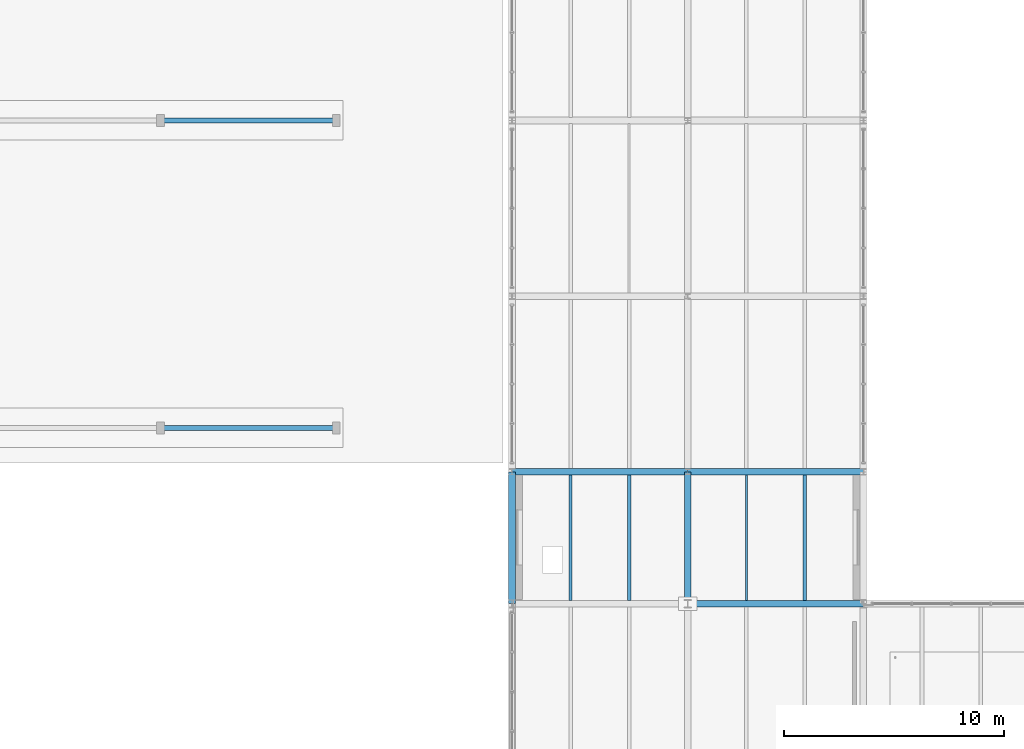
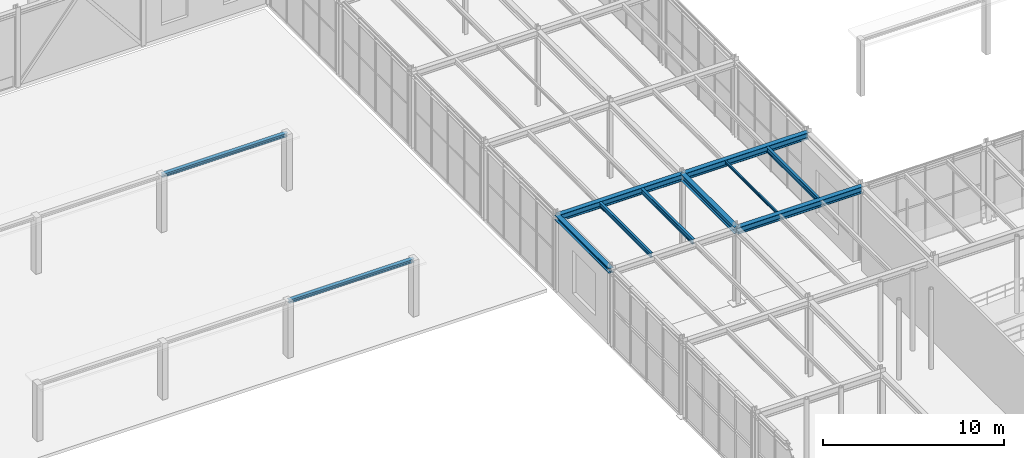
# One storey, part 32 of 129: 11 beams.
"""IFC4 building model written with IfcOpenShell, lengths in metres."""

from ifc_helpers import new_model, si_unit, direction, frame, origin, origin_2d, place, context, subcontext, project, spatial, i_section, extrude, material, material_profile, profile_set, type_object, element, save


model = new_model("IFC4")

# Units and contexts
model_context = context("Model", 3, precision=1e-05, world=origin(), true_north=direction((0.0, 1.0)))
body_context = subcontext(model_context, "Body", "Model", "MODEL_VIEW")
ifc_project = project(units=[si_unit("LENGTHUNIT", "METRE"), si_unit("AREAUNIT", "SQUARE_METRE"), si_unit("VOLUMEUNIT", "CUBIC_METRE"), si_unit("PLANEANGLEUNIT", "RADIAN"), si_unit("MASSUNIT", "GRAM", prefix="KILO")], contexts=[model_context])

# Site, building, storey
site_placement = place(None, origin())
site = spatial("IfcSite", under=ifc_project, at=site_placement, CompositionType="ELEMENT")
building_placement = place(site_placement, origin())
building = spatial("IfcBuilding", under=site, at=building_placement, Name="Sundkrona Museum", CompositionType="ELEMENT")
storey_placement = place(building_placement, origin())
storey = spatial("IfcBuildingStorey", under=building, at=storey_placement, Name="L00", CompositionType="ELEMENT", Elevation=0.0)

# Beams
ifc_material = material(Name="Steel S355J2", Category="steel")
ifc_material_profile_1 = material_profile(ifc_material, i_section(OverallWidth=0.239990234375, OverallDepth=0.22998046875, WebThickness=0.007568359375, FlangeThickness=0.011962890625, FilletRadius=0.02099609375, at=origin_2d()), Name="HEA 240")
ifc_profile_set_1 = profile_set([ifc_material_profile_1], Name="Steel S355J2")
beam_type_1 = type_object("IfcBeamType", Name="B-HEA240", PredefinedType="BEAM", material=ifc_profile_set_1)
for number, where, z_axis, x_axis, name in (
    (1, (64.0, 48.0, 3.679931640625), (1.0, 0.0, 0.0), (0.0, 1.0, 0.0), "Courtyard Pergola Tie Beam CLN-3"),
    (2, (64.0, 62.0, 3.679931640625), (1.0, 0.0, 0.0), (0.0, 1.0, 0.0), "Courtyard Pergola Tie Beam CLS-3"),
):
    element("IfcBeam", number, at=place(storey_placement, frame(where, z_axis=z_axis, x_axis=x_axis)), inside=storey, type_object=beam_type_1, Name=name, PredefinedType="BEAM", context=body_context, shape_type="SweptSolid", body=[
        extrude(i_section(OverallWidth=0.239990234375, OverallDepth=0.22998046875, WebThickness=0.007568359375, FlangeThickness=0.011962890625, FilletRadius=0.02099609375, at=origin_2d()), origin(), (0.0, 0.0, 1.0), 8.0),
    ])
ifc_material_profile_2 = material_profile(ifc_material, i_section(OverallWidth=0.300048828125, OverallDepth=0.43994140625, WebThickness=0.011474609375, FlangeThickness=0.02099609375, FilletRadius=0.027099609375, at=origin_2d()), Name="HEA 450")
ifc_profile_set_2 = profile_set([ifc_material_profile_2], Name="Steel S355J2")
beam_type_2 = type_object("IfcBeamType", Name="B-HEA450", PredefinedType="BEAM", material=ifc_profile_set_2)
for number, where, z_axis, x_axis, name in (
    (3, (88.0, 40.0, 4.919921875), (1.0, 0.0, 0.0), (0.0, 1.0, 0.0), "L00 Girder X-0471"),
    (4, (80.0, 46.0, 4.919921875), (1.0, 0.0, 0.0), (0.0, 1.0, 0.0), "L00 Girder X-0482"),
    (5, (88.0, 46.0, 4.919921875), (1.0, 0.0, 0.0), (0.0, 1.0, 0.0), "L00 Girder X-0483"),
):
    element("IfcBeam", number, at=place(storey_placement, frame(where, z_axis=z_axis, x_axis=x_axis)), inside=storey, type_object=beam_type_2, Name=name, PredefinedType="BEAM", context=body_context, shape_type="SweptSolid", body=[
        extrude(i_section(OverallWidth=0.300048828125, OverallDepth=0.43994140625, WebThickness=0.011474609375, FlangeThickness=0.02099609375, FilletRadius=0.027099609375, at=origin_2d()), origin(), (0.0, 0.0, 1.0), 8.0),
    ])
beam_1_placement = place(storey_placement, frame((88.0, 40.0, 4.919921875), z_axis=(0.0, 1.0, 0.0), x_axis=(-1.0, 0.0, 0.0)))
element("IfcBeam", 6, at=beam_1_placement, inside=storey, type_object=beam_type_2, Name="L00 Girder Y-0691", PredefinedType="BEAM", context=body_context, shape_type="SweptSolid", body=[
    extrude(i_section(OverallWidth=0.300048828125, OverallDepth=0.43994140625, WebThickness=0.011474609375, FlangeThickness=0.02099609375, FilletRadius=0.027099609375, at=origin_2d()), origin(), (0.0, 0.0, 1.0), 6.0),
])
ifc_material_profile_3 = material_profile(ifc_material, i_section(OverallWidth=0.091064453125, OverallDepth=0.179931640625, WebThickness=0.00537109375, FlangeThickness=0.008056640625, FilletRadius=0.009033203125, at=origin_2d()), Name="IPE 180")
ifc_profile_set_3 = profile_set([ifc_material_profile_3], Name="Steel S355J2")
beam_type_3 = type_object("IfcBeamType", Name="J-IPE180", PredefinedType="JOIST", material=ifc_profile_set_3)
beam_2_placement = place(storey_placement, frame((90.666748046875, 40.14404296875, 5.050048828125), z_axis=(0.0, 1.0, 0.0), x_axis=(-1.0, 0.0, 0.0)))
element("IfcBeam", 7, at=beam_2_placement, inside=storey, type_object=beam_type_3, Name="L00 Composite Joist 0415", PredefinedType="JOIST", context=body_context, shape_type="SweptSolid", body=[
    extrude(i_section(OverallWidth=0.091064453125, OverallDepth=0.179931640625, WebThickness=0.00537109375, FlangeThickness=0.008056640625, FilletRadius=0.009033203125, at=origin_2d()), origin(), (0.0, 0.0, 1.0), 5.7119140625),
])
ifc_material_profile_4 = material_profile(ifc_material, i_section(OverallWidth=0.14990234375, OverallDepth=0.300048828125, WebThickness=0.007080078125, FlangeThickness=0.0107421875, FilletRadius=0.014892578125, at=origin_2d()), Name="IPE 300")
ifc_profile_set_4 = profile_set([ifc_material_profile_4], Name="Steel S355J2")
beam_type_4 = type_object("IfcBeamType", Name="J-IPE300", PredefinedType="JOIST", material=ifc_profile_set_4)
beam_3_placement = place(storey_placement, frame((82.666748046875, 40.14404296875, 4.989990234375), z_axis=(0.0, 1.0, 0.0), x_axis=(-1.0, 0.0, 0.0)))
element("IfcBeam", 8, at=beam_3_placement, inside=storey, type_object=beam_type_4, Name="L00 Composite Joist 0395", PredefinedType="JOIST", context=body_context, shape_type="SweptSolid", body=[
    extrude(i_section(OverallWidth=0.14990234375, OverallDepth=0.300048828125, WebThickness=0.007080078125, FlangeThickness=0.0107421875, FilletRadius=0.014892578125, at=origin_2d()), origin(), (0.0, 0.0, 1.0), 5.7119140625),
])
ifc_material_profile_5 = material_profile(ifc_material, i_section(OverallWidth=0.159912109375, OverallDepth=0.330078125, WebThickness=0.007568359375, FlangeThickness=0.011474609375, FilletRadius=0.01806640625, at=origin_2d()), Name="IPE 330")
ifc_profile_set_5 = profile_set([ifc_material_profile_5], Name="Steel S355J2")
beam_type_5 = type_object("IfcBeamType", Name="J-IPE330", PredefinedType="JOIST", material=ifc_profile_set_5)
for number, where, z_axis, x_axis, name in (
    (9, (85.333251953125, 40.14404296875, 4.97509765625), (0.0, 1.0, 0.0), (-1.0, 0.0, 0.0), "L00 Composite Joist 0396"),
    (10, (93.333251953125, 40.14404296875, 4.97509765625), (0.0, 1.0, 0.0), (-1.0, 0.0, 0.0), "L00 Composite Joist 0416"),
):
    element("IfcBeam", number, at=place(storey_placement, frame(where, z_axis=z_axis, x_axis=x_axis)), inside=storey, type_object=beam_type_5, Name=name, PredefinedType="JOIST", context=body_context, shape_type="SweptSolid", body=[
        extrude(i_section(OverallWidth=0.159912109375, OverallDepth=0.330078125, WebThickness=0.007568359375, FlangeThickness=0.011474609375, FilletRadius=0.01806640625, at=origin_2d()), origin(), (0.0, 0.0, 1.0), 5.7119140625),
    ])
ifc_material_profile_6 = material_profile(ifc_material, i_section(OverallWidth=0.300048828125, OverallDepth=0.320068359375, WebThickness=0.011474609375, FlangeThickness=0.0205078125, FilletRadius=0.027099609375, at=origin_2d()), Name="HEB 320")
ifc_profile_set_6 = profile_set([ifc_material_profile_6], Name="Steel S355J2")
beam_type_6 = type_object("IfcBeamType", Name="SP-HEB320", PredefinedType="SPANDREL", material=ifc_profile_set_6)
beam_4_placement = place(storey_placement, frame((80.0, 40.0, 4.97998046875), z_axis=(0.0, 1.0, 0.0), x_axis=(-1.0, 0.0, 0.0)))
element("IfcBeam", 11, at=beam_4_placement, inside=storey, type_object=beam_type_6, Name="L00 Girder Y-0676", PredefinedType="SPANDREL", context=body_context, shape_type="SweptSolid", body=[
    extrude(i_section(OverallWidth=0.300048828125, OverallDepth=0.320068359375, WebThickness=0.011474609375, FlangeThickness=0.0205078125, FilletRadius=0.027099609375, at=origin_2d()), origin(), (0.0, 0.0, 1.0), 6.0),
])

save(model, "model.ifc")
